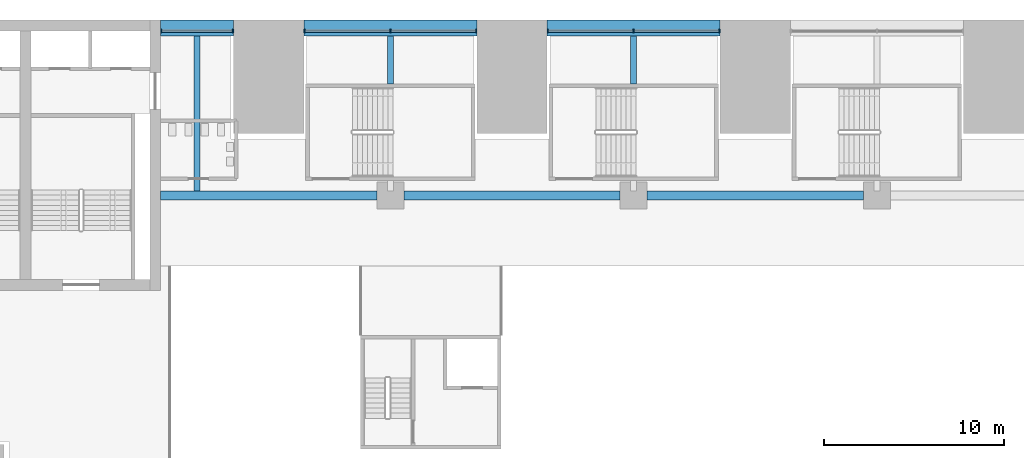
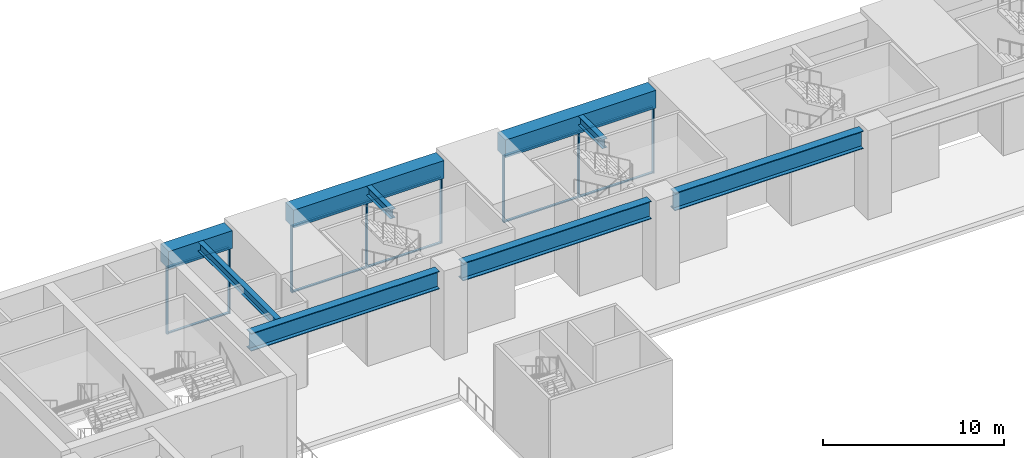
# One storey, part 8 of 41: 18 members, 9 beams, 3 elements without a shape of their own.
"""IFC4 building model written with IfcOpenShell, lengths in metres."""

from ifc_helpers import new_model, si_unit, direction, frame, origin, origin_2d, place, context, subcontext, project, spatial, rectangle, i_section, extrude, material, layer, layer_set, material_profile, profile_set, type_object, element, aggregate, save


model = new_model("IFC4")

# Units and contexts
model_context = context("Model", 3, precision=1e-05, world=origin(), true_north=direction((0.0, 1.0)))
body_context = subcontext(model_context, "Body", "Model", "MODEL_VIEW")
ifc_project = project(units=[si_unit("LENGTHUNIT", "METRE"), si_unit("AREAUNIT", "SQUARE_METRE"), si_unit("VOLUMEUNIT", "CUBIC_METRE"), si_unit("PLANEANGLEUNIT", "RADIAN"), si_unit("MASSUNIT", "GRAM", prefix="KILO")], contexts=[model_context])

# Site, building, storey
site_placement = place(None, origin())
site = spatial("IfcSite", under=ifc_project, at=site_placement, CompositionType="ELEMENT")
building_placement = place(site_placement, origin())
building = spatial("IfcBuilding", under=site, at=building_placement, Name="Corbelhall Arena Tower", CompositionType="ELEMENT")
storey_placement = place(building_placement, frame((0.0, 0.0, 19.0)))
storey = spatial("IfcBuildingStorey", under=building, at=storey_placement, Name="L02", CompositionType="ELEMENT", Elevation=19.0)

# Curtain wall, members
ifc_material_1 = material(Name="Aluminium black anodised", Category="aluminium")
ifc_layer = layer(ifc_material_1, 0.239990234375)
ifc_layer_set = layer_set([ifc_layer], Name="EV-CW4 Arena concourse glazing")
curtain_wall_type = type_object("IfcCurtainWallType", Name="EV-CW4 Arena concourse glazing", PredefinedType="NOTDEFINED", material=ifc_layer_set)
curtain_wall_1_placement = place(storey_placement, origin())
curtain_wall_1 = element("IfcCurtainWall", 1, at=curtain_wall_1_placement, inside=storey, type_object=curtain_wall_type, Name="Curtain wall CW4", PredefinedType="NOTDEFINED")
ifc_material_profile_1 = material_profile(ifc_material_1, rectangle(XDim=0.199951171875, YDim=0.074951171875, at=origin_2d()))
ifc_profile_set_1 = profile_set([ifc_material_profile_1], Name="Aluminium black anodised")
member_type_1 = type_object("IfcMemberType", Name="EV-CW4-MULLION", PredefinedType="MULLION", material=ifc_profile_set_1)
member_1_placement = place(storey_placement, frame((-1.987548828125, 38.3798828125, 0.0), z_axis=(0.0, 0.0, 1.0), x_axis=(0.0, -1.0, 0.0)))
member_1 = element("IfcMember", 2, at=member_1_placement, type_object=member_type_1, Name="CW4 mullion 1", PredefinedType="MULLION", context=body_context, shape_type="SweptSolid", body=[
    extrude(rectangle(XDim=0.199951171875, YDim=0.074951171875, at=origin_2d()), origin(), (0.0, 0.0, 1.0), 4.5),
])
member_2_placement = place(storey_placement, frame((-6.75, 38.3798828125, 0.0), z_axis=(0.0, 0.0, 1.0), x_axis=(0.0, -1.0, 0.0)))
member_2 = element("IfcMember", 3, at=member_2_placement, type_object=member_type_1, Name="CW4 mullion 2", PredefinedType="MULLION", context=body_context, shape_type="SweptSolid", body=[
    extrude(rectangle(XDim=0.199951171875, YDim=0.074951171875, at=origin_2d()), origin(), (0.0, 0.0, 1.0), 4.5),
])
member_3_placement = place(storey_placement, frame((-11.512451171875, 38.3798828125, 0.0), z_axis=(0.0, 0.0, 1.0), x_axis=(0.0, -1.0, 0.0)))
member_3 = element("IfcMember", 4, at=member_3_placement, type_object=member_type_1, Name="CW4 mullion 3", PredefinedType="MULLION", context=body_context, shape_type="SweptSolid", body=[
    extrude(rectangle(XDim=0.199951171875, YDim=0.074951171875, at=origin_2d()), origin(), (0.0, 0.0, 1.0), 4.5),
])

curtain_wall_2_placement = place(storey_placement, origin())
curtain_wall_2 = element("IfcCurtainWall", 5, at=curtain_wall_2_placement, inside=storey, type_object=curtain_wall_type, Name="Curtain wall CW4", PredefinedType="NOTDEFINED")
member_4_placement = place(storey_placement, frame((-15.487548828125, 38.3798828125, 0.0), z_axis=(0.0, 0.0, 1.0), x_axis=(0.0, -1.0, 0.0)))
member_4 = element("IfcMember", 6, at=member_4_placement, type_object=member_type_1, Name="CW4 mullion 1", PredefinedType="MULLION", context=body_context, shape_type="SweptSolid", body=[
    extrude(rectangle(XDim=0.199951171875, YDim=0.074951171875, at=origin_2d()), origin(), (0.0, 0.0, 1.0), 4.5),
])
member_5_placement = place(storey_placement, frame((-20.25, 38.3798828125, 0.0), z_axis=(0.0, 0.0, 1.0), x_axis=(0.0, -1.0, 0.0)))
member_5 = element("IfcMember", 7, at=member_5_placement, type_object=member_type_1, Name="CW4 mullion 2", PredefinedType="MULLION", context=body_context, shape_type="SweptSolid", body=[
    extrude(rectangle(XDim=0.199951171875, YDim=0.074951171875, at=origin_2d()), origin(), (0.0, 0.0, 1.0), 4.5),
])
member_6_placement = place(storey_placement, frame((-25.012451171875, 38.3798828125, 0.0), z_axis=(0.0, 0.0, 1.0), x_axis=(0.0, -1.0, 0.0)))
member_6 = element("IfcMember", 8, at=member_6_placement, type_object=member_type_1, Name="CW4 mullion 3", PredefinedType="MULLION", context=body_context, shape_type="SweptSolid", body=[
    extrude(rectangle(XDim=0.199951171875, YDim=0.074951171875, at=origin_2d()), origin(), (0.0, 0.0, 1.0), 4.5),
])

curtain_wall_3_placement = place(storey_placement, origin())
curtain_wall_3 = element("IfcCurtainWall", 9, at=curtain_wall_3_placement, inside=storey, type_object=curtain_wall_type, Name="Curtain wall CW4A", PredefinedType="NOTDEFINED")
member_7_placement = place(storey_placement, frame((-28.987548828125, 38.3798828125, 0.0), z_axis=(0.0, 0.0, 1.0), x_axis=(0.0, -1.0, 0.0)))
member_7 = element("IfcMember", 10, at=member_7_placement, type_object=member_type_1, Name="CW4A mullion 1", PredefinedType="MULLION", context=body_context, shape_type="SweptSolid", body=[
    extrude(rectangle(XDim=0.199951171875, YDim=0.074951171875, at=origin_2d()), origin(), (0.0, 0.0, 1.0), 4.5),
])
member_8_placement = place(storey_placement, frame((-32.96240234375, 38.3798828125, 0.0), z_axis=(0.0, 0.0, 1.0), x_axis=(0.0, -1.0, 0.0)))
member_8 = element("IfcMember", 11, at=member_8_placement, type_object=member_type_1, Name="CW4A mullion 2", PredefinedType="MULLION", context=body_context, shape_type="SweptSolid", body=[
    extrude(rectangle(XDim=0.199951171875, YDim=0.074951171875, at=origin_2d()), origin(), (0.0, 0.0, 1.0), 4.5),
])

# Member
ifc_material_profile_2 = material_profile(ifc_material_1, rectangle(XDim=0.14990234375, YDim=0.074951171875, at=origin_2d()))
ifc_profile_set_2 = profile_set([ifc_material_profile_2], Name="Aluminium black anodised")
member_type_2 = type_object("IfcMemberType", Name="EV-CW4-TRANSOM", PredefinedType="USERDEFINED", material=ifc_profile_set_2)
member_9_placement = place(storey_placement, frame((-2.02490234375, 38.3798828125, 0.03759765625), z_axis=(-1.0, 0.0, 0.0), x_axis=(0.0, -1.0, 0.0)))
member_9 = element("IfcMember", 12, at=member_9_placement, type_object=member_type_2, Name="CW4 transom 1.1", ObjectType="transom", PredefinedType="USERDEFINED", context=body_context, shape_type="SweptSolid", body=[
    extrude(rectangle(XDim=0.14990234375, YDim=0.074951171875, at=origin_2d()), origin(), (0.0, 0.0, 1.0), 4.6875),
])

member_10_placement = place(storey_placement, frame((-2.02490234375, 38.3798828125, 4.46240234375), z_axis=(-1.0, 0.0, 0.0), x_axis=(0.0, -1.0, 0.0)))
member_10 = element("IfcMember", 13, at=member_10_placement, type_object=member_type_2, Name="CW4 transom 1.2", ObjectType="transom", PredefinedType="USERDEFINED", context=body_context, shape_type="SweptSolid", body=[
    extrude(rectangle(XDim=0.14990234375, YDim=0.074951171875, at=origin_2d()), origin(), (0.0, 0.0, 1.0), 4.6875),
])

member_11_placement = place(storey_placement, frame((-6.78759765625, 38.3798828125, 0.03759765625), z_axis=(-1.0, 0.0, 0.0), x_axis=(0.0, -1.0, 0.0)))
member_11 = element("IfcMember", 14, at=member_11_placement, type_object=member_type_2, Name="CW4 transom 2.1", ObjectType="transom", PredefinedType="USERDEFINED", context=body_context, shape_type="SweptSolid", body=[
    extrude(rectangle(XDim=0.14990234375, YDim=0.074951171875, at=origin_2d()), origin(), (0.0, 0.0, 1.0), 4.6875),
])

member_12_placement = place(storey_placement, frame((-6.78759765625, 38.3798828125, 4.46240234375), z_axis=(-1.0, 0.0, 0.0), x_axis=(0.0, -1.0, 0.0)))
member_12 = element("IfcMember", 15, at=member_12_placement, type_object=member_type_2, Name="CW4 transom 2.2", ObjectType="transom", PredefinedType="USERDEFINED", context=body_context, shape_type="SweptSolid", body=[
    extrude(rectangle(XDim=0.14990234375, YDim=0.074951171875, at=origin_2d()), origin(), (0.0, 0.0, 1.0), 4.6875),
])

aggregate(curtain_wall_1, [member_1, member_2, member_3, member_9, member_10, member_11, member_12])

member_13_placement = place(storey_placement, frame((-15.52490234375, 38.3798828125, 0.03759765625), z_axis=(-1.0, 0.0, 0.0), x_axis=(0.0, -1.0, 0.0)))
member_13 = element("IfcMember", 16, at=member_13_placement, type_object=member_type_2, Name="CW4 transom 1.1", ObjectType="transom", PredefinedType="USERDEFINED", context=body_context, shape_type="SweptSolid", body=[
    extrude(rectangle(XDim=0.14990234375, YDim=0.074951171875, at=origin_2d()), origin(), (0.0, 0.0, 1.0), 4.6875),
])

member_14_placement = place(storey_placement, frame((-15.52490234375, 38.3798828125, 4.46240234375), z_axis=(-1.0, 0.0, 0.0), x_axis=(0.0, -1.0, 0.0)))
member_14 = element("IfcMember", 17, at=member_14_placement, type_object=member_type_2, Name="CW4 transom 1.2", ObjectType="transom", PredefinedType="USERDEFINED", context=body_context, shape_type="SweptSolid", body=[
    extrude(rectangle(XDim=0.14990234375, YDim=0.074951171875, at=origin_2d()), origin(), (0.0, 0.0, 1.0), 4.6875),
])

member_15_placement = place(storey_placement, frame((-20.28759765625, 38.3798828125, 0.03759765625), z_axis=(-1.0, 0.0, 0.0), x_axis=(0.0, -1.0, 0.0)))
member_15 = element("IfcMember", 18, at=member_15_placement, type_object=member_type_2, Name="CW4 transom 2.1", ObjectType="transom", PredefinedType="USERDEFINED", context=body_context, shape_type="SweptSolid", body=[
    extrude(rectangle(XDim=0.14990234375, YDim=0.074951171875, at=origin_2d()), origin(), (0.0, 0.0, 1.0), 4.6875),
])

member_16_placement = place(storey_placement, frame((-20.28759765625, 38.3798828125, 4.46240234375), z_axis=(-1.0, 0.0, 0.0), x_axis=(0.0, -1.0, 0.0)))
member_16 = element("IfcMember", 19, at=member_16_placement, type_object=member_type_2, Name="CW4 transom 2.2", ObjectType="transom", PredefinedType="USERDEFINED", context=body_context, shape_type="SweptSolid", body=[
    extrude(rectangle(XDim=0.14990234375, YDim=0.074951171875, at=origin_2d()), origin(), (0.0, 0.0, 1.0), 4.6875),
])

aggregate(curtain_wall_2, [member_4, member_5, member_6, member_13, member_14, member_15, member_16])

member_17_placement = place(storey_placement, frame((-29.02490234375, 38.3798828125, 0.03759765625), z_axis=(-1.0, 0.0, 0.0), x_axis=(0.0, -1.0, 0.0)))
member_17 = element("IfcMember", 20, at=member_17_placement, type_object=member_type_2, Name="CW4A transom 1.1", ObjectType="transom", PredefinedType="USERDEFINED", context=body_context, shape_type="SweptSolid", body=[
    extrude(rectangle(XDim=0.14990234375, YDim=0.074951171875, at=origin_2d()), origin(), (0.0, 0.0, 1.0), 3.900146484375),
])

member_18_placement = place(storey_placement, frame((-29.02490234375, 38.3798828125, 4.46240234375), z_axis=(-1.0, 0.0, 0.0), x_axis=(0.0, -1.0, 0.0)))
member_18 = element("IfcMember", 21, at=member_18_placement, type_object=member_type_2, Name="CW4A transom 1.2", ObjectType="transom", PredefinedType="USERDEFINED", context=body_context, shape_type="SweptSolid", body=[
    extrude(rectangle(XDim=0.14990234375, YDim=0.074951171875, at=origin_2d()), origin(), (0.0, 0.0, 1.0), 3.900146484375),
])

aggregate(curtain_wall_3, [member_7, member_8, member_17, member_18])

# Beams
ifc_material_2 = material(Name="Steel ASTM A992 Gr50", Category="steel")
ifc_material_profile_3 = material_profile(ifc_material_2, i_section(OverallWidth=0.323974609375, OverallDepth=0.611083984375, WebThickness=0.0126953125, FlangeThickness=0.01904296875, at=origin_2d()))
ifc_profile_set_3 = profile_set([ifc_material_profile_3], Name="Steel ASTM A992 Gr50")
beam_type_1 = type_object("IfcBeamType", Name="PO-BEAM-W24X104", PredefinedType="BEAM", material=ifc_profile_set_3)
beam_1_placement = place(storey_placement, frame((-30.97509765625, 29.5, 5.39453125), z_axis=(0.0, 1.0, 0.0), x_axis=(-1.0, 0.0, 0.0)))
element("IfcBeam", 22, at=beam_1_placement, inside=storey, type_object=beam_type_1, Name="CONCOURSE BEAM", PredefinedType="BEAM", context=body_context, shape_type="SweptSolid", body=[
    extrude(i_section(OverallWidth=0.323974609375, OverallDepth=0.611083984375, WebThickness=0.0126953125, FlangeThickness=0.01904296875, at=origin_2d()), origin(), (0.0, 0.0, 1.0), 8.60009765625),
])
for number, where, z_axis, x_axis, name in (
    (23, (-20.25, 35.449951171875, 5.39453125), (0.0, 1.0, 0.0), (-1.0, 0.0, 0.0), "CONCOURSE BEAM"),
    (24, (-6.75, 35.449951171875, 5.39453125), (0.0, 1.0, 0.0), (-1.0, 0.0, 0.0), "CONCOURSE BEAM"),
):
    element("IfcBeam", number, at=place(storey_placement, frame(where, z_axis=z_axis, x_axis=x_axis)), inside=storey, type_object=beam_type_1, Name=name, PredefinedType="BEAM", context=body_context, shape_type="SweptSolid", body=[
        extrude(i_section(OverallWidth=0.323974609375, OverallDepth=0.611083984375, WebThickness=0.0126953125, FlangeThickness=0.01904296875, at=origin_2d()), origin(), (0.0, 0.0, 1.0), 2.650146484375),
    ])
ifc_material_3 = material(Name="Steel ASTM A572 Gr50", Category="steel")
ifc_material_profile_4 = material_profile(ifc_material_3, i_section(OverallWidth=0.5, OverallDepth=1.199951171875, WebThickness=0.02490234375, FlangeThickness=0.044921875, at=origin_2d()))
ifc_profile_set_4 = profile_set([ifc_material_profile_4], Name="Steel ASTM A572 Gr50")
beam_type_2 = type_object("IfcBeamType", Name="PO-GIRDER-PG1200X500X25X45", PredefinedType="BEAM", material=ifc_profile_set_4)
for number, where, z_axis, x_axis, name in (
    (25, (-33.0, 29.25, 5.10009765625), (1.0, 0.0, 0.0), (0.0, 1.0, 0.0), "RING GIRDER"),
    (26, (-19.5, 29.25, 5.10009765625), (1.0, 0.0, 0.0), (0.0, 1.0, 0.0), "RING GIRDER"),
    (27, (-6.0, 29.25, 5.10009765625), (1.0, 0.0, 0.0), (0.0, 1.0, 0.0), "RING GIRDER"),
):
    element("IfcBeam", number, at=place(storey_placement, frame(where, z_axis=z_axis, x_axis=x_axis)), inside=storey, type_object=beam_type_2, Name=name, PredefinedType="BEAM", context=body_context, shape_type="SweptSolid", body=[
        extrude(i_section(OverallWidth=0.5, OverallDepth=1.199951171875, WebThickness=0.02490234375, FlangeThickness=0.044921875, at=origin_2d()), origin(), (0.0, 0.0, 1.0), 12.0),
    ])
ifc_material_4 = material(Name="Concrete C80/95", Category="concrete")
ifc_material_profile_5 = material_profile(ifc_material_4, rectangle(XDim=0.89990234375, YDim=1.199951171875, at=origin_2d()))
ifc_profile_set_5 = profile_set([ifc_material_profile_5], Name="Concrete C80/95")
beam_type_3 = type_object("IfcBeamType", Name="PO-RING-BEAM", PredefinedType="BEAM", material=ifc_profile_set_5)
beam_2_placement = place(storey_placement, frame((-33.0, 38.550048828125, 5.10009765625), z_axis=(1.0, 0.0, 0.0), x_axis=(0.0, 1.0, 0.0)))
element("IfcBeam", 28, at=beam_2_placement, inside=storey, type_object=beam_type_3, Name="RING GIRDER L03 N1", PredefinedType="BEAM", context=body_context, shape_type="SweptSolid", body=[
    extrude(rectangle(XDim=0.89990234375, YDim=1.199951171875, at=origin_2d()), origin(), (0.0, 0.0, 1.0), 4.050048828125),
])
for number, where, z_axis, x_axis, name in (
    (29, (-25.050048828125, 38.550048828125, 5.10009765625), (1.0, 0.0, 0.0), (0.0, 1.0, 0.0), "RING GIRDER L03 N2"),
    (30, (-11.550048828125, 38.550048828125, 5.10009765625), (1.0, 0.0, 0.0), (0.0, 1.0, 0.0), "RING GIRDER L03 N3"),
):
    element("IfcBeam", number, at=place(storey_placement, frame(where, z_axis=z_axis, x_axis=x_axis)), inside=storey, type_object=beam_type_3, Name=name, PredefinedType="BEAM", context=body_context, shape_type="SweptSolid", body=[
        extrude(rectangle(XDim=0.89990234375, YDim=1.199951171875, at=origin_2d()), origin(), (0.0, 0.0, 1.0), 9.60009765625),
    ])

save(model, "model.ifc")
